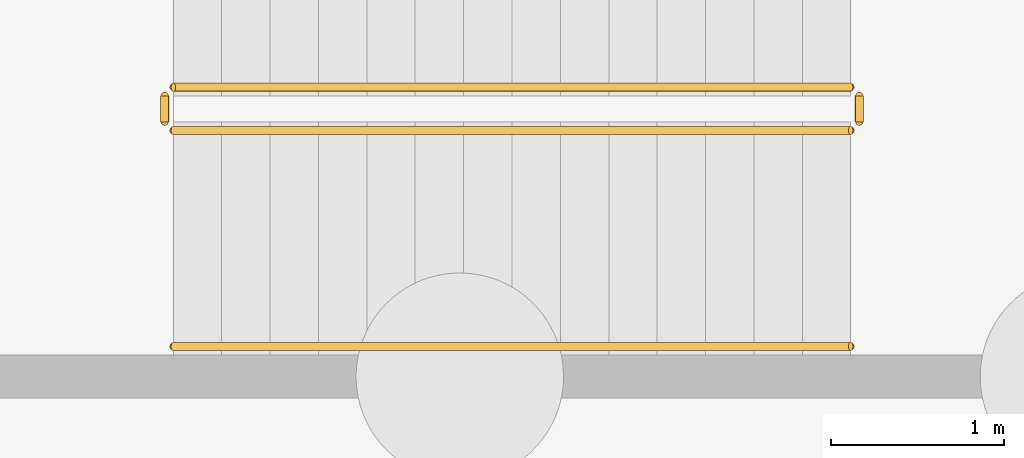
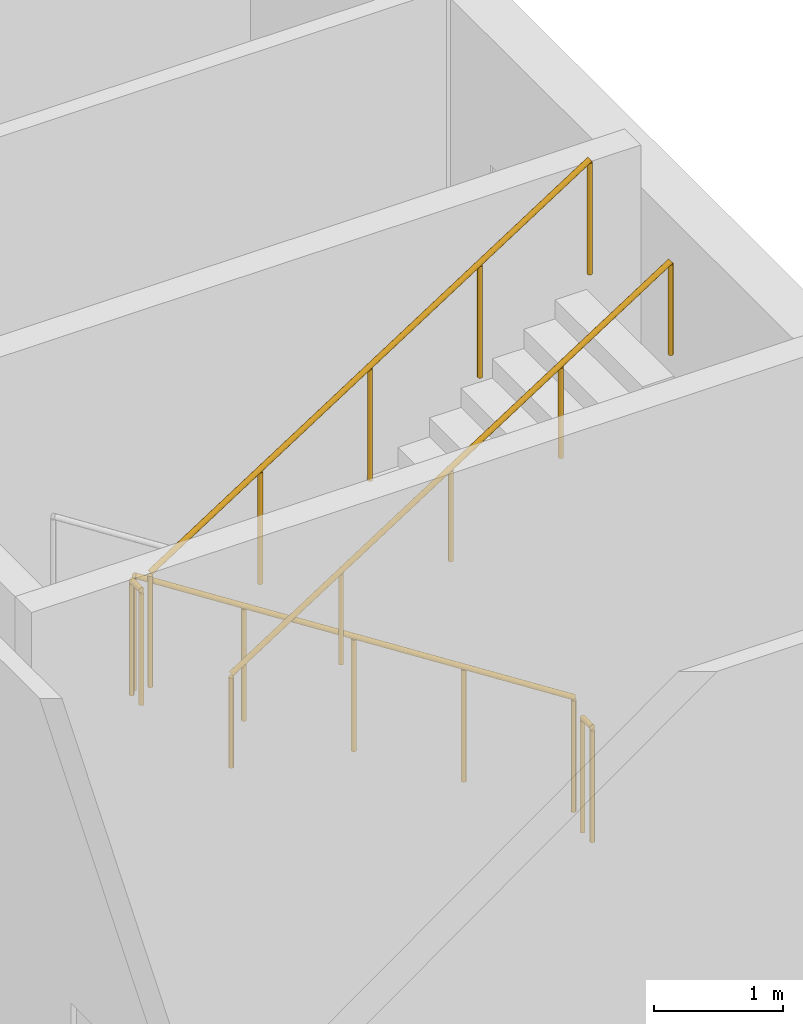
# One storey, part 154 of 168: 5 railings.
"""IFC4 building model written with IfcOpenShell, lengths in metres."""

import ifcopenshell
import ifcopenshell.guid

model = None  # the IFC model being written
_history = None  # IfcOwnerHistory: only IFC2X3 demands one
_inside = {}  # id of a spatial element -> (the spatial element, [elements in it])
_under = {}  # id of a project, library or spatial element -> (it, [spatial elements below it])
_declared = {}  # id of a project -> (the project, [libraries it declares])
_typed = {}  # id of a type object -> (the type object, [elements of that type])
_made_of = {}  # id of a material, layer set ... -> (it, [elements and type objects made of it])


def new_model(schema):
    """Start an empty IFC model of exactly this schema.

    Asked for "IFC4X3", IfcOpenShell would pick the latest addendum, in which some entities
    have other attributes; the version numbers below select the first issue.
    IFC2X3 requires an IfcOwnerHistory on every rooted entity: one is made here for all.
    """
    global model, _history
    if schema == "IFC4X3":
        model = ifcopenshell.file(schema_version=(4, 3, 0, 0))
    else:
        model = ifcopenshell.file(schema=schema)
    _inside.clear()
    _under.clear()
    _declared.clear()
    _typed.clear()
    _made_of.clear()
    _history = None
    if model.schema == "IFC2X3":
        org = make("IfcOrganization", Name="unknown")
        user = make(
            "IfcPersonAndOrganization",
            ThePerson=make("IfcPerson", FamilyName="unknown"),
            TheOrganization=org,
        )
        app = make(
            "IfcApplication",
            ApplicationDeveloper=org,
            Version="unknown",
            ApplicationFullName="unknown",
            ApplicationIdentifier="unknown",
        )
        _history = make(
            "IfcOwnerHistory",
            OwningUser=user,
            OwningApplication=app,
            ChangeAction="ADDED",
            CreationDate=0,
        )
    return model


def make(cls, **values):
    """One entity of the class cls with the attributes given. An attribute that is None is left unset."""
    return model.create_entity(
        cls, **{name: value for name, value in values.items() if value is not None}
    )


def rooted(cls, **values):
    """An entity with a GlobalId (a new one), such as an element, a storey or a relation."""
    return make(cls, GlobalId=ifcopenshell.guid.new(), OwnerHistory=_history, **values)


def si_unit(unit_type, name, prefix=None):
    """IfcSIUnit, for example si_unit("LENGTHUNIT", "METRE", prefix="MILLI")."""
    return make("IfcSIUnit", UnitType=unit_type, Prefix=prefix, Name=name)


def assignment(units):
    """IfcUnitAssignment: the units of a project."""
    return None if units is None else make("IfcUnitAssignment", Units=units)


def point(xyz):
    """IfcCartesianPoint."""
    return None if xyz is None else make("IfcCartesianPoint", Coordinates=xyz)


def direction(xyz):
    """IfcDirection."""
    return None if xyz is None else make("IfcDirection", DirectionRatios=xyz)


def frame(location, z_axis=None, x_axis=None):
    """IfcAxis2Placement3D, a coordinate frame: its origin and axes. An axis left out is left unset."""
    return make(
        "IfcAxis2Placement3D",
        Location=point(location),
        Axis=direction(z_axis),
        RefDirection=direction(x_axis),
    )


def frame_2d(location, x_axis=None):
    """IfcAxis2Placement2D, a coordinate frame in the plane: its origin and x axis."""
    return make(
        "IfcAxis2Placement2D", Location=point(location), RefDirection=direction(x_axis)
    )


def origin():
    """The frame at (0, 0, 0) with its axes left unset."""
    return frame((0.0, 0.0, 0.0))


def origin_2d():
    """The frame at (0, 0) in the plane with its x axis left unset."""
    return frame_2d((0.0, 0.0))


def place(relative_to, where):
    """IfcLocalPlacement: puts the frame where relative to a parent placement (None: the world)."""
    return make(
        "IfcLocalPlacement", PlacementRelTo=relative_to, RelativePlacement=where
    )


def context(
    kind, dimensions, precision=None, world=None, true_north=None, identifier=None
):
    """IfcGeometricRepresentationContext, for example the 3D "Model" context."""
    return make(
        "IfcGeometricRepresentationContext",
        ContextIdentifier=identifier,
        ContextType=kind,
        CoordinateSpaceDimension=dimensions,
        Precision=precision,
        WorldCoordinateSystem=world,
        TrueNorth=true_north,
    )


def subcontext(parent, identifier, kind, view, scale=None):
    """IfcGeometricRepresentationSubContext, for example "Body" below "Model"."""
    return make(
        "IfcGeometricRepresentationSubContext",
        ContextIdentifier=identifier,
        ContextType=kind,
        ParentContext=parent,
        TargetScale=scale,
        TargetView=view,
    )


def project(units=None, contexts=None):
    """IfcProject with its units and contexts."""
    return rooted(
        "IfcProject",
        Name="project",
        RepresentationContexts=contexts,
        UnitsInContext=assignment(units),
    )


def spatial(cls, under=None, at=None, **own):
    """A site, building, storey or space (cls), placed at a placement, below another one or the project."""
    s = rooted(cls, ObjectPlacement=at, **own)
    if under is not None:
        _under.setdefault(under.id(), (under, []))[1].append(s)
    return s


def profile(cls, at=None, kind="AREA", **sizes):
    """A parametric profile (cls). Its sizes go by their IFC names, for example OverallWidth=200.0."""
    return make(cls, ProfileType=kind, Position=at, **sizes)


def circle(**sizes):
    """IfcCircleProfileDef."""
    return profile("IfcCircleProfileDef", **sizes)


def extrude(swept, where, along, depth):
    """IfcExtrudedAreaSolid: the profile swept, set in the frame where, extruded along a direction by depth."""
    return make(
        "IfcExtrudedAreaSolid",
        SweptArea=swept,
        Position=where,
        ExtrudedDirection=direction(along),
        Depth=depth,
    )


def shape(context_of_items, identifier, shape_type, items):
    """IfcShapeRepresentation: the items that make up one representation, for example the "Body"."""
    return make(
        "IfcShapeRepresentation",
        ContextOfItems=context_of_items,
        RepresentationIdentifier=identifier,
        RepresentationType=shape_type,
        Items=items,
    )


def material(Name=None, Category=None):
    """IfcMaterial."""
    return make("IfcMaterial", Name=Name, Category=Category)


def made_of(thing, what):
    """Note that an element or type object is made of a material, layer set ...; save() writes the relation."""
    if what is not None:
        _made_of.setdefault(what.id(), (what, []))[1].append(thing)
    return thing


def type_object(cls, material=None, **own):
    """A type object (cls), such as IfcWallType, which elements share."""
    return made_of(rooted(cls, **own), material)


def element(
    cls,
    number,
    at=None,
    inside=None,
    cuts=None,
    type_object=None,
    material=None,
    context=None,
    identifier="Body",
    shape_type=None,
    held_by="IfcProductDefinitionShape",
    body=None,
    shapes=None,
    **own,
):
    """One element of the class cls, such as IfcWall. Its Tag is "e" and its number.

    at: its placement. inside: the storey or other place that contains it. cuts: it is an
    opening in that element (IfcRelVoidsElement). A single representation is given by context,
    identifier, shape_type and body (its items); several are given by shapes. held_by: the class
    of the entity that holds the representations. save() writes the other relations.
    """
    e = rooted(cls, Tag="e%d" % number, ObjectPlacement=at, **own)
    if body is not None:
        shapes = [shape(context, identifier, shape_type, body)]
    if shapes is not None:
        e.Representation = make(held_by, Representations=shapes)
    if inside is not None:
        _inside.setdefault(inside.id(), (inside, []))[1].append(e)
    if cuts is not None:
        rooted(
            "IfcRelVoidsElement", RelatingBuildingElement=cuts, RelatedOpeningElement=e
        )
    if type_object is not None:
        _typed.setdefault(type_object.id(), (type_object, []))[1].append(e)
    return made_of(e, material)


def aggregate(whole, parts):
    """IfcRelAggregates: a whole, such as a stair, and the parts it consists of."""
    return rooted("IfcRelAggregates", RelatingObject=whole, RelatedObjects=parts)


def save(model, path):
    """Write the relations noted so far, then the file.

    IfcRelAggregates (storeys below a building ...), IfcRelContainedInSpatialStructure (elements
    in a storey), IfcRelDefinesByType, IfcRelAssociatesMaterial and IfcRelDeclares: one each for
    every whole, place, type object, material and project.
    """
    for whole, parts in _under.values():
        aggregate(whole, parts)
    for where, things in _inside.values():
        rooted(
            "IfcRelContainedInSpatialStructure",
            RelatedElements=things,
            RelatingStructure=where,
        )
    for kind, things in _typed.values():
        rooted("IfcRelDefinesByType", RelatedObjects=things, RelatingType=kind)
    for what, things in _made_of.values():
        rooted("IfcRelAssociatesMaterial", RelatedObjects=things, RelatingMaterial=what)
    for by, libraries in _declared.values():
        rooted("IfcRelDeclares", RelatingContext=by, RelatedDefinitions=libraries)
    model.write(path)


model = new_model("IFC4")

# Units and contexts
model_context = context("Model", 3, precision=1e-05, world=origin(), true_north=direction((0.0, 1.0)))
body_context = subcontext(model_context, "Body", "Model", "MODEL_VIEW")
ifc_project = project(units=[si_unit("LENGTHUNIT", "METRE"), si_unit("AREAUNIT", "SQUARE_METRE"), si_unit("VOLUMEUNIT", "CUBIC_METRE"), si_unit("PLANEANGLEUNIT", "RADIAN"), si_unit("MASSUNIT", "GRAM", prefix="KILO")], contexts=[model_context])

# Site, building, storey
site_placement = place(None, origin())
site = spatial("IfcSite", under=ifc_project, at=site_placement, CompositionType="ELEMENT")
building_placement = place(site_placement, origin())
building = spatial("IfcBuilding", under=site, at=building_placement, Name="Golden Quay Civic Hall", CompositionType="ELEMENT")
storey_placement = place(building_placement, origin())
storey = spatial("IfcBuildingStorey", under=building, at=storey_placement, Name="L00", CompositionType="ELEMENT", Elevation=0.0)

# Railings
ifc_material_1 = material(Name="Steel S355", Category="steel")
railing_type_1 = type_object("IfcRailingType", Name="Steel guard 1100", PredefinedType="GUARDRAIL", material=ifc_material_1)
railing_1_placement = place(storey_placement, frame((169.449951171875, 31.625, 0.179931640625)))
element("IfcRailing", 1, at=railing_1_placement, inside=storey, type_object=railing_type_1, Name="L00 EO-M stair guard 1", PredefinedType="GUARDRAIL", context=body_context, shape_type="SweptSolid", body=[
    extrude(circle(Radius=0.02392578125, at=origin_2d()), frame((0.0, 0.0, 1.076171875), z_axis=(-0.841171666519, 0.0, 0.540768182723), x_axis=(0.0, -1.0, 0.0)), (0.0, 0.0, 1.0), 4.66015625),
    extrude(circle(Radius=0.02099609375, at=origin_2d()), origin(), (0.0, 0.0, 1.0), 1.052001953125),
    extrude(circle(Radius=0.02099609375, at=origin_2d()), frame((-0.97998046875, 0.0, 0.6298828125)), (0.0, 0.0, 1.0), 1.052001953125),
    extrude(circle(Radius=0.02099609375, at=origin_2d()), frame((-1.9599609375, 0.0, 1.260009765625)), (0.0, 0.0, 1.0), 1.052001953125),
    extrude(circle(Radius=0.02099609375, at=origin_2d()), frame((-2.93994140625, 0.0, 1.89013671875)), (0.0, 0.0, 1.0), 1.052001953125),
    extrude(circle(Radius=0.02099609375, at=origin_2d()), frame((-3.919921875, 0.0, 2.52001953125)), (0.0, 0.0, 1.0), 1.052001953125),
])
railing_2_placement = place(storey_placement, frame((165.47998046875, 31.574951171875, 2.699951171875)))
element("IfcRailing", 2, at=railing_2_placement, inside=storey, type_object=railing_type_1, Name="L00 EO-M stair guard 2", PredefinedType="GUARDRAIL", context=body_context, shape_type="SweptSolid", body=[
    extrude(circle(Radius=0.02392578125, at=origin_2d()), frame((0.0, 0.0, 1.076171875), z_axis=(0.0, -1.0, 0.0), x_axis=(1.0, 0.0, 0.0)), (0.0, 0.0, 1.0), 0.14990234375),
    extrude(circle(Radius=0.02099609375, at=origin_2d()), origin(), (0.0, 0.0, 1.0), 1.052001953125),
    extrude(circle(Radius=0.02099609375, at=origin_2d()), frame((0.0, -0.14990234375, 0.0)), (0.0, 0.0, 1.0), 1.052001953125),
])
railing_3_placement = place(storey_placement, frame((165.530029296875, 31.375, 2.8798828125)))
element("IfcRailing", 3, at=railing_3_placement, inside=storey, type_object=railing_type_1, Name="L00 EO-M stair guard 3", PredefinedType="GUARDRAIL", context=body_context, shape_type="SweptSolid", body=[
    extrude(circle(Radius=0.02392578125, at=origin_2d()), frame((0.0, 0.0, 1.076171875), z_axis=(0.841171666519, 0.0, 0.540768182723), x_axis=(0.0, 1.0, 0.0)), (0.0, 0.0, 1.0), 4.66015625),
    extrude(circle(Radius=0.02099609375, at=origin_2d()), origin(), (0.0, 0.0, 1.0), 1.052001953125),
    extrude(circle(Radius=0.02099609375, at=origin_2d()), frame((0.97998046875, 0.0, 0.6298828125)), (0.0, 0.0, 1.0), 1.052001953125),
    extrude(circle(Radius=0.02099609375, at=origin_2d()), frame((1.9599609375, 0.0, 1.260009765625)), (0.0, 0.0, 1.0), 1.052001953125),
    extrude(circle(Radius=0.02099609375, at=origin_2d()), frame((2.93994140625, 0.0, 1.89013671875)), (0.0, 0.0, 1.0), 1.052001953125),
    extrude(circle(Radius=0.02099609375, at=origin_2d()), frame((3.919921875, 0.0, 2.52001953125)), (0.0, 0.0, 1.0), 1.052001953125),
])
railing_4_placement = place(storey_placement, frame((169.5, 31.574951171875, 0.0)))
element("IfcRailing", 4, at=railing_4_placement, inside=storey, type_object=railing_type_1, Name="L00 EO-M stair guard 4", PredefinedType="GUARDRAIL", context=body_context, shape_type="SweptSolid", body=[
    extrude(circle(Radius=0.02392578125, at=origin_2d()), frame((0.0, 0.0, 1.076171875), z_axis=(0.0, -1.0, 0.0), x_axis=(1.0, 0.0, 0.0)), (0.0, 0.0, 1.0), 0.14990234375),
    extrude(circle(Radius=0.02099609375, at=origin_2d()), origin(), (0.0, 0.0, 1.0), 1.052001953125),
    extrude(circle(Radius=0.02099609375, at=origin_2d()), frame((0.0, -0.14990234375, 0.0)), (0.0, 0.0, 1.0), 1.052001953125),
])
ifc_material_2 = material(Name="Steel S355", Category="steel")
railing_type_2 = type_object("IfcRailingType", Name="Steel handrail 900", PredefinedType="HANDRAIL", material=ifc_material_2)
railing_5_placement = place(storey_placement, frame((165.530029296875, 30.125, 2.8798828125)))
element("IfcRailing", 5, at=railing_5_placement, inside=storey, type_object=railing_type_2, Name="L00 EO-M stair handrail 2", PredefinedType="HANDRAIL", context=body_context, shape_type="SweptSolid", body=[
    extrude(circle(Radius=0.02392578125, at=origin_2d()), frame((0.0, 0.0, 0.8759765625), z_axis=(0.841171666519, 0.0, 0.540768182723), x_axis=(0.0, 1.0, 0.0)), (0.0, 0.0, 1.0), 4.66015625),
    extrude(circle(Radius=0.02099609375, at=origin_2d()), origin(), (0.0, 0.0, 1.0), 0.851806640625),
    extrude(circle(Radius=0.02099609375, at=origin_2d()), frame((0.97998046875, 0.0, 0.6298828125)), (0.0, 0.0, 1.0), 0.851806640625),
    extrude(circle(Radius=0.02099609375, at=origin_2d()), frame((1.9599609375, 0.0, 1.260009765625)), (0.0, 0.0, 1.0), 0.851806640625),
    extrude(circle(Radius=0.02099609375, at=origin_2d()), frame((2.93994140625, 0.0, 1.89013671875)), (0.0, 0.0, 1.0), 0.851806640625),
    extrude(circle(Radius=0.02099609375, at=origin_2d()), frame((3.919921875, 0.0, 2.52001953125)), (0.0, 0.0, 1.0), 0.851806640625),
])

save(model, "model.ifc")
